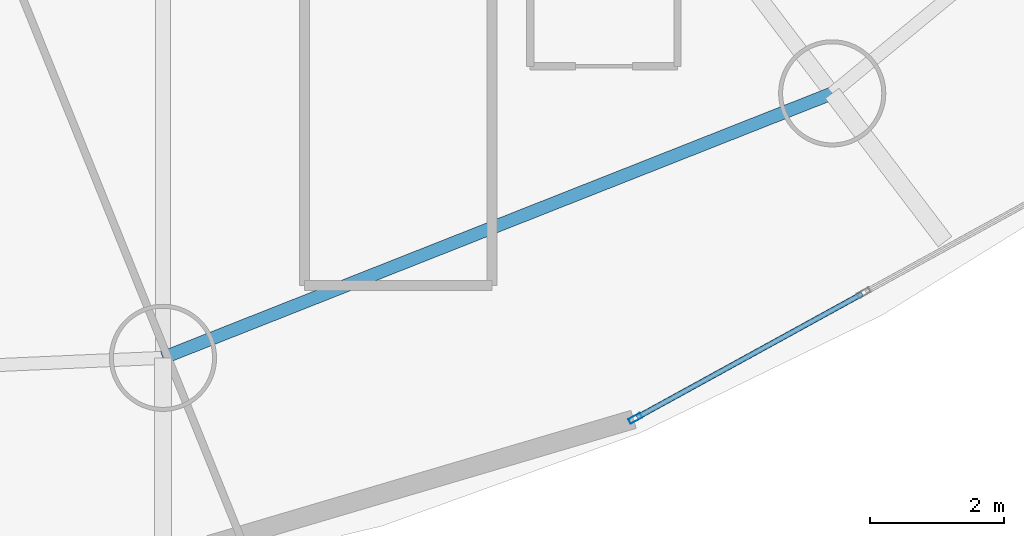
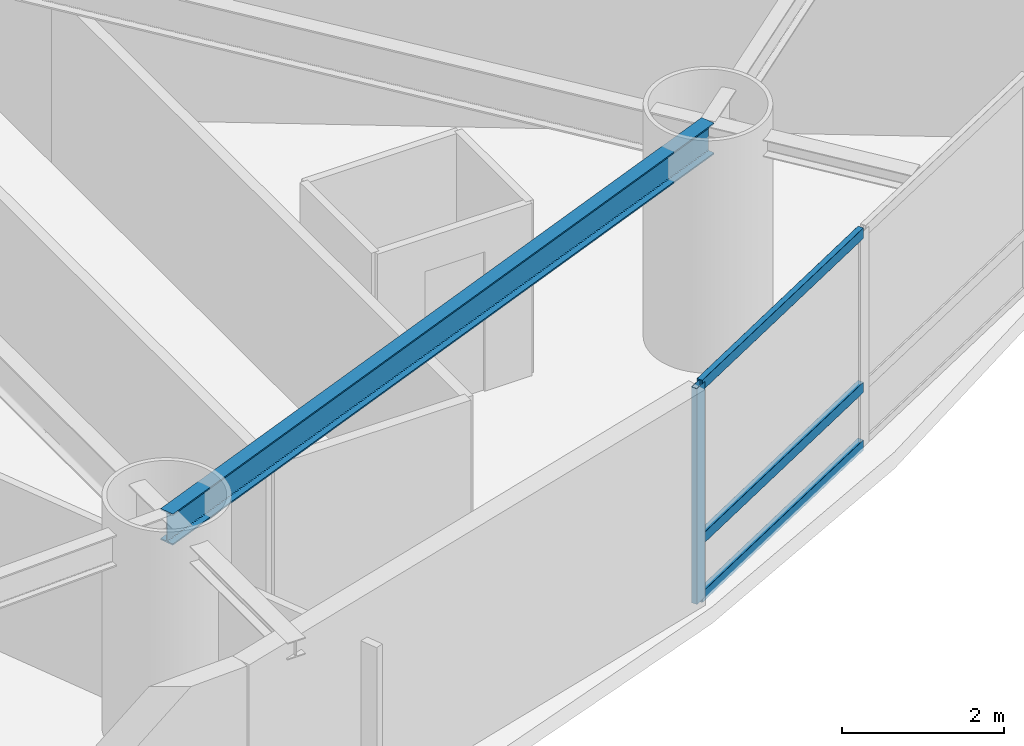
# One storey, part 4 of 25: 4 members, 1 beam, 1 element without a shape of its own.
"""IFC4 building model written with IfcOpenShell, lengths in metres."""

from ifc_helpers import new_model, si_unit, direction, frame, origin, origin_2d, place, context, subcontext, project, spatial, hollow_rectangle, i_section, extrude, material, layer, layer_set, material_profile, profile_set, type_object, element, aggregate, save


model = new_model("IFC4")

# Units and contexts
model_context = context("Model", 3, precision=1e-05, world=origin(), true_north=direction((0.0, 1.0)))
body_context = subcontext(model_context, "Body", "Model", "MODEL_VIEW")
ifc_project = project(units=[si_unit("LENGTHUNIT", "METRE"), si_unit("AREAUNIT", "SQUARE_METRE"), si_unit("VOLUMEUNIT", "CUBIC_METRE"), si_unit("PLANEANGLEUNIT", "RADIAN"), si_unit("MASSUNIT", "GRAM", prefix="KILO")], contexts=[model_context])

# Site, building, storey
site_placement = place(None, origin())
site = spatial("IfcSite", under=ifc_project, at=site_placement, CompositionType="ELEMENT")
building_placement = place(site_placement, origin())
building = spatial("IfcBuilding", under=site, at=building_placement, Name="Bramvorn Convention Spire", CompositionType="ELEMENT")
storey_placement = place(building_placement, frame((0.0, 0.0, 55.39990234375)))
storey = spatial("IfcBuildingStorey", under=building, at=storey_placement, Name="L11", CompositionType="ELEMENT", Elevation=55.39990234375)

# Beam
ifc_material_1 = material(Name="Steel CSA G40.21 Grade 350 (350W)", Category="steel")
ifc_material_profile_1 = material_profile(ifc_material_1, i_section(OverallWidth=0.194091796875, OverallDepth=0.468994140625, WebThickness=0.0126953125, FlangeThickness=0.0205078125, FilletRadius=0.01806640625, at=origin_2d()))
ifc_profile_set_1 = profile_set([ifc_material_profile_1], Name="Steel CSA G40.21 Grade 350 (350W) - W460X106")
beam_type = type_object("IfcBeamType", Name="BM-W460X106", PredefinedType="SPANDREL", material=ifc_profile_set_1)
beam_placement = place(storey_placement, frame((46.23779296875, 5.42333984375, 3.015625), z_axis=(0.93000950609, 0.367535465749, 0.0), x_axis=(-0.367535465749, 0.93000950609, 0.0)))
element("IfcBeam", 1, at=beam_placement, inside=storey, type_object=beam_type, Name="L11 mega-column ring beam 14", PredefinedType="SPANDREL", context=body_context, shape_type="SweptSolid", body=[
    extrude(i_section(OverallWidth=0.194091796875, OverallDepth=0.468994140625, WebThickness=0.0126953125, FlangeThickness=0.0205078125, FilletRadius=0.01806640625, at=origin_2d()), origin(), (0.0, 0.0, 1.0), 10.74169921875),
])

# Curtain wall, members
ifc_material_2 = material(Name="Anodised Bronze Unitised Curtain Wall", Category="aluminium")
ifc_layer = layer(ifc_material_2, 0.179931640625)
ifc_layer_set = layer_set([ifc_layer], Name="Anodised Bronze Unitised Curtain Wall - CW-HTL-FRIT")
curtain_wall_type = type_object("IfcCurtainWallType", Name="CW-HTL-FRIT", PredefinedType="USERDEFINED", material=ifc_layer_set)
curtain_wall_placement = place(storey_placement, origin())
curtain_wall = element("IfcCurtainWall", 2, at=curtain_wall_placement, inside=storey, type_object=curtain_wall_type, Name="L11 fritted glass curtain wall 21", ObjectType="UNITISED CURTAIN WALL", PredefinedType="USERDEFINED")
ifc_material_3 = material(Name="Anodised Bronze Aluminium 6063-T6", Category="aluminium")
ifc_material_profile_2 = material_profile(ifc_material_3, hollow_rectangle(XDim=0.080078125, YDim=0.199951171875, WallThickness=0.00390625, InnerFilletRadius=0.0009765625, OuterFilletRadius=0.00390625, at=origin_2d()))
ifc_profile_set_2 = profile_set([ifc_material_profile_2], Name="Anodised Bronze Aluminium 6063-T6 - CWM80X200")
member_type_1 = type_object("IfcMemberType", Name="CW-MUL-180", PredefinedType="MULLION", material=ifc_profile_set_2)
member_1_placement = place(storey_placement, frame((53.288818359375, 4.519775390625, 0.0), z_axis=(0.0, 0.0, 1.0), x_axis=(0.481254586999, -0.87658087048, 0.0)))
member_1 = element("IfcMember", 3, at=member_1_placement, type_object=member_type_1, Name="CW2 mullion 3", PredefinedType="MULLION", context=body_context, shape_type="SweptSolid", body=[
    extrude(hollow_rectangle(XDim=0.080078125, YDim=0.199951171875, WallThickness=0.00390625, InnerFilletRadius=0.0009765625, OuterFilletRadius=0.00390625, at=origin_2d()), origin(), (0.0, 0.0, 1.0), 3.25),
])
ifc_material_profile_3 = material_profile(ifc_material_3, hollow_rectangle(XDim=0.080078125, YDim=0.159912109375, WallThickness=0.00390625, InnerFilletRadius=0.0009765625, OuterFilletRadius=0.00390625, at=origin_2d()))
ifc_profile_set_3 = profile_set([ifc_material_profile_3], Name="Anodised Bronze Aluminium 6063-T6 - CWT80X160")
member_type_2 = type_object("IfcMemberType", Name="CW-TRN-150", PredefinedType="USERDEFINED", material=ifc_profile_set_3)
member_2_placement = place(storey_placement, frame((56.674560546875, 6.378662109375, 0.030029296875), z_axis=(-0.876565376828, -0.481282806827, 0.0), x_axis=(0.481282806827, -0.876565376828, 0.0)))
member_2 = element("IfcMember", 4, at=member_2_placement, type_object=member_type_2, Name="CW2 transom 2.1", ObjectType="TRANSOM", PredefinedType="USERDEFINED", context=body_context, shape_type="SweptSolid", body=[
    extrude(hollow_rectangle(XDim=0.080078125, YDim=0.159912109375, WallThickness=0.00390625, InnerFilletRadius=0.0009765625, OuterFilletRadius=0.00390625, at=origin_2d()), origin(), (0.0, 0.0, 1.0), 3.83251953125),
])
member_3_placement = place(storey_placement, frame((56.674560546875, 6.378662109375, 0.900146484375), z_axis=(-0.876565376828, -0.481282806827, 0.0), x_axis=(0.481282806827, -0.876565376828, 0.0)))
member_3 = element("IfcMember", 5, at=member_3_placement, type_object=member_type_2, Name="CW2 transom 2.2", ObjectType="TRANSOM", PredefinedType="USERDEFINED", context=body_context, shape_type="SweptSolid", body=[
    extrude(hollow_rectangle(XDim=0.080078125, YDim=0.159912109375, WallThickness=0.00390625, InnerFilletRadius=0.0009765625, OuterFilletRadius=0.00390625, at=origin_2d()), origin(), (0.0, 0.0, 1.0), 3.83251953125),
])
member_4_placement = place(storey_placement, frame((56.674560546875, 6.378662109375, 3.22021484375), z_axis=(-0.876565376828, -0.481282806827, 0.0), x_axis=(0.481282806827, -0.876565376828, 0.0)))
member_4 = element("IfcMember", 6, at=member_4_placement, type_object=member_type_2, Name="CW2 transom 2.3", ObjectType="TRANSOM", PredefinedType="USERDEFINED", context=body_context, shape_type="SweptSolid", body=[
    extrude(hollow_rectangle(XDim=0.080078125, YDim=0.159912109375, WallThickness=0.00390625, InnerFilletRadius=0.0009765625, OuterFilletRadius=0.00390625, at=origin_2d()), origin(), (0.0, 0.0, 1.0), 3.83251953125),
])
aggregate(curtain_wall, [member_1, member_2, member_3, member_4])

save(model, "model.ifc")
